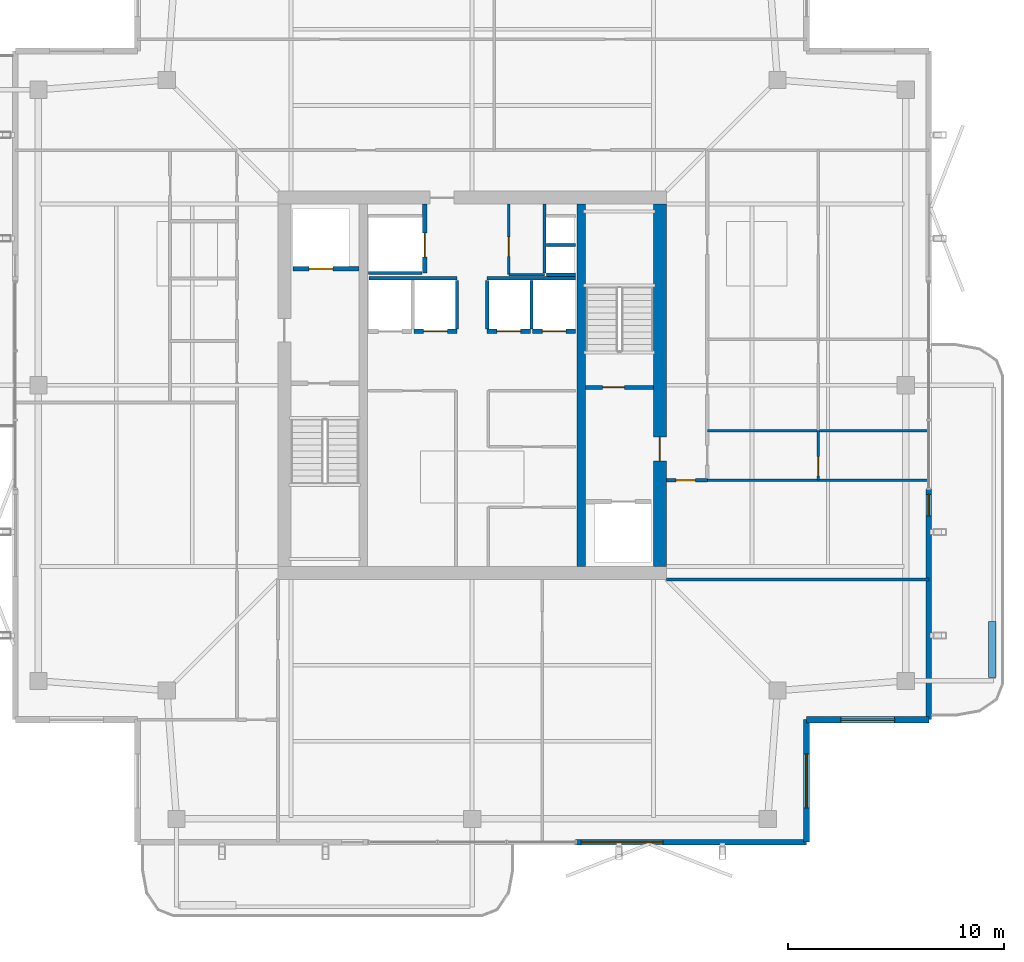
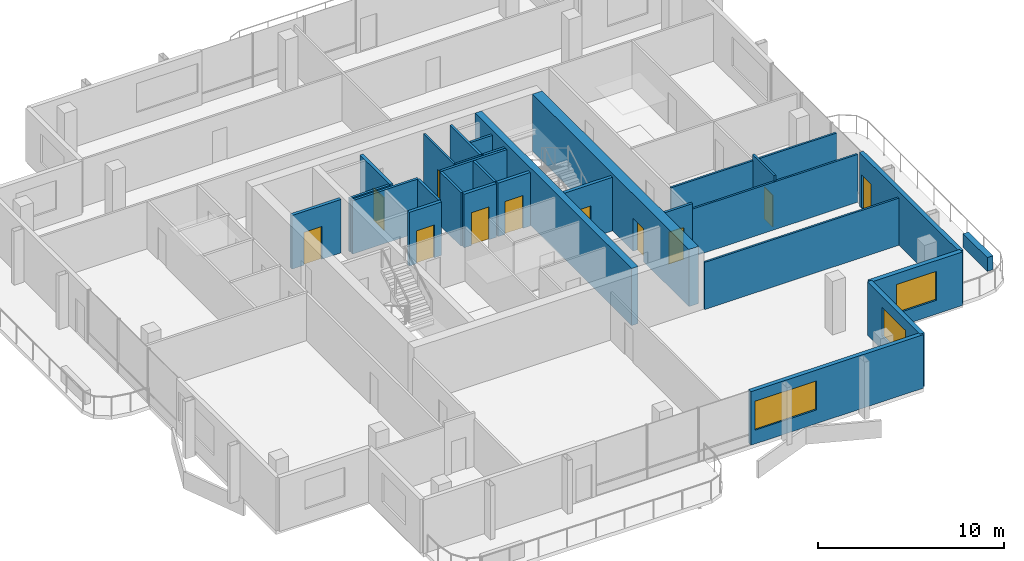
# One storey, part 17 of 22: 29 walls, 11 doors, 3 windows, 14 openings.
"""IFC4 building model written with IfcOpenShell, lengths in metres."""

import ifcopenshell
import ifcopenshell.guid

model = None  # the IFC model being written
_history = None  # IfcOwnerHistory: only IFC2X3 demands one
_inside = {}  # id of a spatial element -> (the spatial element, [elements in it])
_under = {}  # id of a project, library or spatial element -> (it, [spatial elements below it])
_declared = {}  # id of a project -> (the project, [libraries it declares])
_typed = {}  # id of a type object -> (the type object, [elements of that type])
_made_of = {}  # id of a material, layer set ... -> (it, [elements and type objects made of it])


def new_model(schema):
    """Start an empty IFC model of exactly this schema.

    Asked for "IFC4X3", IfcOpenShell would pick the latest addendum, in which some entities
    have other attributes; the version numbers below select the first issue.
    IFC2X3 requires an IfcOwnerHistory on every rooted entity: one is made here for all.
    """
    global model, _history
    if schema == "IFC4X3":
        model = ifcopenshell.file(schema_version=(4, 3, 0, 0))
    else:
        model = ifcopenshell.file(schema=schema)
    _inside.clear()
    _under.clear()
    _declared.clear()
    _typed.clear()
    _made_of.clear()
    _history = None
    if model.schema == "IFC2X3":
        org = make("IfcOrganization", Name="unknown")
        user = make(
            "IfcPersonAndOrganization",
            ThePerson=make("IfcPerson", FamilyName="unknown"),
            TheOrganization=org,
        )
        app = make(
            "IfcApplication",
            ApplicationDeveloper=org,
            Version="unknown",
            ApplicationFullName="unknown",
            ApplicationIdentifier="unknown",
        )
        _history = make(
            "IfcOwnerHistory",
            OwningUser=user,
            OwningApplication=app,
            ChangeAction="ADDED",
            CreationDate=0,
        )
    return model


def make(cls, **values):
    """One entity of the class cls with the attributes given. An attribute that is None is left unset."""
    return model.create_entity(
        cls, **{name: value for name, value in values.items() if value is not None}
    )


def rooted(cls, **values):
    """An entity with a GlobalId (a new one), such as an element, a storey or a relation."""
    return make(cls, GlobalId=ifcopenshell.guid.new(), OwnerHistory=_history, **values)


def si_unit(unit_type, name, prefix=None):
    """IfcSIUnit, for example si_unit("LENGTHUNIT", "METRE", prefix="MILLI")."""
    return make("IfcSIUnit", UnitType=unit_type, Prefix=prefix, Name=name)


def assignment(units):
    """IfcUnitAssignment: the units of a project."""
    return None if units is None else make("IfcUnitAssignment", Units=units)


def point(xyz):
    """IfcCartesianPoint."""
    return None if xyz is None else make("IfcCartesianPoint", Coordinates=xyz)


def direction(xyz):
    """IfcDirection."""
    return None if xyz is None else make("IfcDirection", DirectionRatios=xyz)


def frame(location, z_axis=None, x_axis=None):
    """IfcAxis2Placement3D, a coordinate frame: its origin and axes. An axis left out is left unset."""
    return make(
        "IfcAxis2Placement3D",
        Location=point(location),
        Axis=direction(z_axis),
        RefDirection=direction(x_axis),
    )


def frame_2d(location, x_axis=None):
    """IfcAxis2Placement2D, a coordinate frame in the plane: its origin and x axis."""
    return make(
        "IfcAxis2Placement2D", Location=point(location), RefDirection=direction(x_axis)
    )


def origin():
    """The frame at (0, 0, 0) with its axes left unset."""
    return frame((0.0, 0.0, 0.0))


def place(relative_to, where):
    """IfcLocalPlacement: puts the frame where relative to a parent placement (None: the world)."""
    return make(
        "IfcLocalPlacement", PlacementRelTo=relative_to, RelativePlacement=where
    )


def context(
    kind, dimensions, precision=None, world=None, true_north=None, identifier=None
):
    """IfcGeometricRepresentationContext, for example the 3D "Model" context."""
    return make(
        "IfcGeometricRepresentationContext",
        ContextIdentifier=identifier,
        ContextType=kind,
        CoordinateSpaceDimension=dimensions,
        Precision=precision,
        WorldCoordinateSystem=world,
        TrueNorth=true_north,
    )


def subcontext(parent, identifier, kind, view, scale=None):
    """IfcGeometricRepresentationSubContext, for example "Body" below "Model"."""
    return make(
        "IfcGeometricRepresentationSubContext",
        ContextIdentifier=identifier,
        ContextType=kind,
        ParentContext=parent,
        TargetScale=scale,
        TargetView=view,
    )


def project(units=None, contexts=None):
    """IfcProject with its units and contexts."""
    return rooted(
        "IfcProject",
        Name="project",
        RepresentationContexts=contexts,
        UnitsInContext=assignment(units),
    )


def spatial(cls, under=None, at=None, **own):
    """A site, building, storey or space (cls), placed at a placement, below another one or the project."""
    s = rooted(cls, ObjectPlacement=at, **own)
    if under is not None:
        _under.setdefault(under.id(), (under, []))[1].append(s)
    return s


def profile(cls, at=None, kind="AREA", **sizes):
    """A parametric profile (cls). Its sizes go by their IFC names, for example OverallWidth=200.0."""
    return make(cls, ProfileType=kind, Position=at, **sizes)


def rectangle(**sizes):
    """IfcRectangleProfileDef."""
    return profile("IfcRectangleProfileDef", **sizes)


def extrude(swept, where, along, depth):
    """IfcExtrudedAreaSolid: the profile swept, set in the frame where, extruded along a direction by depth."""
    return make(
        "IfcExtrudedAreaSolid",
        SweptArea=swept,
        Position=where,
        ExtrudedDirection=direction(along),
        Depth=depth,
    )


def shape(context_of_items, identifier, shape_type, items):
    """IfcShapeRepresentation: the items that make up one representation, for example the "Body"."""
    return make(
        "IfcShapeRepresentation",
        ContextOfItems=context_of_items,
        RepresentationIdentifier=identifier,
        RepresentationType=shape_type,
        Items=items,
    )


def material(Name=None, Category=None):
    """IfcMaterial."""
    return make("IfcMaterial", Name=Name, Category=Category)


def layer(
    of_material, thickness, ventilated=None, Name=None, Category=None, Priority=None
):
    """IfcMaterialLayer: one layer of a wall or slab, of a material (None: an air gap)."""
    return make(
        "IfcMaterialLayer",
        Material=of_material,
        LayerThickness=thickness,
        IsVentilated=ventilated,
        Name=Name,
        Category=Category,
        Priority=Priority,
    )


def layer_set(layers, Name=None):
    """IfcMaterialLayerSet."""
    return make("IfcMaterialLayerSet", MaterialLayers=layers, LayerSetName=Name)


def made_of(thing, what):
    """Note that an element or type object is made of a material, layer set ...; save() writes the relation."""
    if what is not None:
        _made_of.setdefault(what.id(), (what, []))[1].append(thing)
    return thing


def type_object(cls, material=None, **own):
    """A type object (cls), such as IfcWallType, which elements share."""
    return made_of(rooted(cls, **own), material)


def element(
    cls,
    number,
    at=None,
    inside=None,
    cuts=None,
    type_object=None,
    material=None,
    context=None,
    identifier="Body",
    shape_type=None,
    held_by="IfcProductDefinitionShape",
    body=None,
    shapes=None,
    **own,
):
    """One element of the class cls, such as IfcWall. Its Tag is "e" and its number.

    at: its placement. inside: the storey or other place that contains it. cuts: it is an
    opening in that element (IfcRelVoidsElement). A single representation is given by context,
    identifier, shape_type and body (its items); several are given by shapes. held_by: the class
    of the entity that holds the representations. save() writes the other relations.
    """
    e = rooted(cls, Tag="e%d" % number, ObjectPlacement=at, **own)
    if body is not None:
        shapes = [shape(context, identifier, shape_type, body)]
    if shapes is not None:
        e.Representation = make(held_by, Representations=shapes)
    if inside is not None:
        _inside.setdefault(inside.id(), (inside, []))[1].append(e)
    if cuts is not None:
        rooted(
            "IfcRelVoidsElement", RelatingBuildingElement=cuts, RelatedOpeningElement=e
        )
    if type_object is not None:
        _typed.setdefault(type_object.id(), (type_object, []))[1].append(e)
    return made_of(e, material)


def fill(opening, filler):
    """IfcRelFillsElement: the door or window that sits in an opening."""
    return rooted(
        "IfcRelFillsElement",
        RelatingOpeningElement=opening,
        RelatedBuildingElement=filler,
    )


def aggregate(whole, parts):
    """IfcRelAggregates: a whole, such as a stair, and the parts it consists of."""
    return rooted("IfcRelAggregates", RelatingObject=whole, RelatedObjects=parts)


def save(model, path):
    """Write the relations noted so far, then the file.

    IfcRelAggregates (storeys below a building ...), IfcRelContainedInSpatialStructure (elements
    in a storey), IfcRelDefinesByType, IfcRelAssociatesMaterial and IfcRelDeclares: one each for
    every whole, place, type object, material and project.
    """
    for whole, parts in _under.values():
        aggregate(whole, parts)
    for where, things in _inside.values():
        rooted(
            "IfcRelContainedInSpatialStructure",
            RelatedElements=things,
            RelatingStructure=where,
        )
    for kind, things in _typed.values():
        rooted("IfcRelDefinesByType", RelatedObjects=things, RelatingType=kind)
    for what, things in _made_of.values():
        rooted("IfcRelAssociatesMaterial", RelatedObjects=things, RelatingMaterial=what)
    for by, libraries in _declared.values():
        rooted("IfcRelDeclares", RelatingContext=by, RelatedDefinitions=libraries)
    model.write(path)


model = new_model("IFC4")

# Units and contexts
model_context = context("Model", 3, precision=1e-05, world=origin(), true_north=direction((0.0, 1.0)))
body_context = subcontext(model_context, "Body", "Model", "MODEL_VIEW")
ifc_project = project(units=[si_unit("LENGTHUNIT", "METRE"), si_unit("AREAUNIT", "SQUARE_METRE"), si_unit("VOLUMEUNIT", "CUBIC_METRE"), si_unit("PLANEANGLEUNIT", "RADIAN"), si_unit("MASSUNIT", "GRAM", prefix="KILO")], contexts=[model_context])

# Site, building, storey
site_placement = place(None, origin())
site = spatial("IfcSite", under=ifc_project, at=site_placement, CompositionType="ELEMENT")
building_placement = place(site_placement, origin())
building = spatial("IfcBuilding", under=site, at=building_placement, Name="Belovzor Exchange Tower", CompositionType="ELEMENT")
storey_placement = place(building_placement, frame((0.0, 0.0, 348.0)))
storey = spatial("IfcBuildingStorey", under=building, at=storey_placement, Name="L87", CompositionType="ELEMENT", Elevation=348.0)

# Walls
ifc_material_1 = material(Name="Acoustic Plasterboard on Galvanised Studs", Category="gypsum")
ifc_layer_1 = layer(ifc_material_1, 0.1201171875)
ifc_layer_set_1 = layer_set([ifc_layer_1], Name="Acoustic Plasterboard on Galvanised Studs")
wall_type_1 = type_object("IfcWallType", Name="Acoustic Double-Stud Partition Wall 120", PredefinedType="PARTITIONING", material=ifc_layer_set_1)
wall_1_placement = place(storey_placement, frame((37.800048828125, 19.800048828125, 0.0), z_axis=(0.0, 0.0, 1.0), x_axis=(1.0, 0.0, 0.0)))
element("IfcWall", 1, at=wall_1_placement, inside=storey, type_object=wall_type_1, Name="W-P120 Partition Wall W-L87-ESS", PredefinedType="PARTITIONING", context=body_context, shape_type="SweptSolid", body=[
    extrude(rectangle(XDim=12.169921875, YDim=0.1201171875, at=frame_2d((6.0849609375, 0.0))), origin(), (0.0, 0.0, 1.0), 3.094970703125),
])
wall_2_placement = place(storey_placement, frame((39.699951171875, 24.39990234375, 0.0), z_axis=(0.0, 0.0, 1.0), x_axis=(1.0, 0.0, 0.0)))
element("IfcWall", 2, at=wall_2_placement, inside=storey, type_object=wall_type_1, Name="W-P120 Partition Wall W-L87-ESN", PredefinedType="PARTITIONING", context=body_context, shape_type="SweptSolid", body=[
    extrude(rectangle(XDim=10.27001953125, YDim=0.1201171875, at=frame_2d((5.135009765625, 0.0))), origin(), (0.0, 0.0, 1.0), 3.135009765625),
])

# Wall, opening, door
wall_3_placement = place(storey_placement, frame((44.8349609375, 24.39990234375, 0.0), z_axis=(0.0, 0.0, 1.0), x_axis=(0.0, 1.0, 0.0)))
wall_3 = element("IfcWall", 3, at=wall_3_placement, inside=storey, type_object=wall_type_1, Name="W-P120 Partition Wall W-L87-EHDIV-0", PredefinedType="PARTITIONING", context=body_context, shape_type="SweptSolid", body=[
    extrude(rectangle(XDim=2.300048828125, YDim=0.1201171875, at=frame_2d((1.14990234375, 0.0))), origin(), (0.0, 0.0, 1.0), 3.510009765625),
])
opening_1_placement = place(wall_3_placement, frame((0.199951171875, 0.0, 0.0)))
opening_1 = element("IfcOpeningElement", 4, at=opening_1_placement, cuts=wall_3, Name="Opening D-INT-090", PredefinedType="OPENING", context=body_context, shape_type="SweptSolid", body=[
    extrude(rectangle(XDim=0.89990234375, YDim=2.10009765625, at=frame_2d((0.449951171875, 1.050048828125))), frame((0.0, 0.070068359375, 0.0), z_axis=(0.0, -1.0, 0.0), x_axis=(1.0, 0.0, 0.0)), (0.0, 0.0, 1.0), 0.14013671875),
])
ifc_material_2 = material(Name="Veneered Hardwood Acoustic Leaf", Category="wood")
door_type_1 = type_object("IfcDoorType", Name="Trading Suite Acoustic Single Door 900x2100", OperationType="NOTDEFINED", PredefinedType="DOOR", material=ifc_material_2)
door_1_placement = place(opening_1_placement, origin())
door_1 = element("IfcDoor", 5, at=door_1_placement, inside=storey, type_object=door_type_1, Name="D-INT-090 Trading Suite Acoustic Single Door 900x2100", OperationType="SINGLE_SWING_RIGHT", OverallHeight=2.10009765625, OverallWidth=0.89990234375, PredefinedType="DOOR", context=body_context, shape_type="SweptSolid", body=[
    extrude(rectangle(XDim=0.89990234375, YDim=2.10009765625, at=frame_2d((0.449951171875, 1.050048828125))), frame((0.0, 0.02490234375, 0.0), z_axis=(0.0, -1.0, 0.0), x_axis=(1.0, 0.0, 0.0)), (0.0, 0.0, 1.0), 0.050048828125),
])
fill(opening_1, door_1)

# Wall
wall_4_placement = place(storey_placement, frame((39.699951171875, 26.699951171875, 0.0), z_axis=(0.0, 0.0, 1.0), x_axis=(1.0, 0.0, 0.0)))
element("IfcWall", 6, at=wall_4_placement, inside=storey, type_object=wall_type_1, Name="W-P120 Partition Wall W-L87-EDIV-1", PredefinedType="PARTITIONING", context=body_context, shape_type="SweptSolid", body=[
    extrude(rectangle(XDim=10.27001953125, YDim=0.1201171875, at=frame_2d((5.135009765625, 0.0))), origin(), (0.0, 0.0, 1.0), 3.135009765625),
])

# Wall, opening, door
ifc_material_3 = material(Name="Fire-Rated Plasterboard on Galvanised Studs", Category="gypsum")
ifc_layer_2 = layer(ifc_material_3, 0.1201171875)
ifc_layer_set_2 = layer_set([ifc_layer_2], Name="Fire-Rated Plasterboard on Galvanised Studs")
wall_type_2 = type_object("IfcWallType", Name="Fire-Rated Double-Stud Partition Wall 120", PredefinedType="PARTITIONING", material=ifc_layer_set_2)
wall_5_placement = place(storey_placement, frame((30.5, 33.925048828125, 0.0), z_axis=(0.0, 0.0, 1.0), x_axis=(0.0, 1.0, 0.0)))
wall_5 = element("IfcWall", 7, at=wall_5_placement, inside=storey, type_object=wall_type_2, Name="W-P120F Partition Wall W-CRV-L87-W", PredefinedType="PARTITIONING", context=body_context, shape_type="SweptSolid", body=[
    extrude(rectangle(XDim=3.27490234375, YDim=0.1201171875, at=frame_2d((1.637451171875, 0.0))), origin(), (0.0, 0.0, 1.0), 3.510009765625),
])
opening_2_placement = place(wall_5_placement, frame((0.85009765625, 0.0, 0.0)))
opening_2 = element("IfcOpeningElement", 8, at=opening_2_placement, cuts=wall_5, Name="Opening D-FD60-090", PredefinedType="OPENING", context=body_context, shape_type="SweptSolid", body=[
    extrude(rectangle(XDim=0.89990234375, YDim=2.10009765625, at=frame_2d((0.449951171875, 1.050048828125))), frame((0.0, 0.070068359375, 0.0), z_axis=(0.0, -1.0, 0.0), x_axis=(1.0, 0.0, 0.0)), (0.0, 0.0, 1.0), 0.14013671875),
])
ifc_material_4 = material(Name="Acoustic Timber Fire Leaf", Category="wood")
door_type_2 = type_object("IfcDoorType", Name="Core Service & Restroom Fire Door 900x2100", OperationType="NOTDEFINED", PredefinedType="DOOR", material=ifc_material_4)
door_2_placement = place(opening_2_placement, origin())
door_2 = element("IfcDoor", 9, at=door_2_placement, inside=storey, type_object=door_type_2, Name="D-FD60-090 Core Service & Restroom Fire Door 900x2100", OperationType="SINGLE_SWING_LEFT", OverallHeight=2.10009765625, OverallWidth=0.89990234375, PredefinedType="DOOR", context=body_context, shape_type="SweptSolid", body=[
    extrude(rectangle(XDim=0.89990234375, YDim=2.10009765625, at=frame_2d((0.449951171875, 1.050048828125))), frame((0.0, 0.02490234375, 0.0), z_axis=(0.0, -1.0, 0.0), x_axis=(1.0, 0.0, 0.0)), (0.0, 0.0, 1.0), 0.050048828125),
])
fill(opening_2, door_2)

# Wall
wall_6_placement = place(storey_placement, frame((30.5, 33.925048828125, 0.0), z_axis=(0.0, 0.0, 1.0), x_axis=(1.0, 0.0, 0.0)))
element("IfcWall", 10, at=wall_6_placement, inside=storey, type_object=wall_type_2, Name="W-P120F Partition Wall W-CRV-L87-S", PredefinedType="PARTITIONING", context=body_context, shape_type="SweptSolid", body=[
    extrude(rectangle(XDim=1.64990234375, YDim=0.1201171875, at=frame_2d((0.824951171875, 0.0))), origin(), (0.0, 0.0, 1.0), 3.510009765625),
])

# Wall, opening, door
ifc_material_5 = material(Name="Fire-Rated Gypsum Block and Mineral Wool", Category="gypsum")
ifc_layer_3 = layer(ifc_material_5, 0.14990234375)
ifc_layer_set_3 = layer_set([ifc_layer_3], Name="Fire-Rated Gypsum Block and Mineral Wool")
wall_type_3 = type_object("IfcWallType", Name="Fire-Rated Gypsum Block Corridor Wall 150", PredefinedType="PARTITIONING", material=ifc_layer_set_3)
wall_7_placement = place(storey_placement, frame((37.800048828125, 24.39990234375, 0.0), z_axis=(0.0, 0.0, 1.0), x_axis=(1.0, 0.0, 0.0)))
wall_7 = element("IfcWall", 11, at=wall_7_placement, inside=storey, type_object=wall_type_3, Name="W-P150 Partition Wall W-L87-CE-END", PredefinedType="PARTITIONING", context=body_context, shape_type="SweptSolid", body=[
    extrude(rectangle(XDim=1.89990234375, YDim=0.14990234375, at=frame_2d((0.949951171875, 0.0))), origin(), (0.0, 0.0, 1.0), 3.510009765625),
])
opening_3_placement = place(wall_7_placement, frame((0.449951171875, 0.0, 0.0)))
opening_3 = element("IfcOpeningElement", 12, at=opening_3_placement, cuts=wall_7, Name="Opening D-FD60-090", PredefinedType="OPENING", context=body_context, shape_type="SweptSolid", body=[
    extrude(rectangle(XDim=0.89990234375, YDim=2.10009765625, at=frame_2d((0.449951171875, 1.050048828125))), frame((0.0, 0.0849609375, 0.0), z_axis=(0.0, -1.0, 0.0), x_axis=(1.0, 0.0, 0.0)), (0.0, 0.0, 1.0), 0.169921875),
])
door_3_placement = place(opening_3_placement, origin())
door_3 = element("IfcDoor", 13, at=door_3_placement, inside=storey, type_object=door_type_2, Name="D-FD60-090 Core Service & Restroom Fire Door 900x2100", OperationType="SINGLE_SWING_LEFT", OverallHeight=2.10009765625, OverallWidth=0.89990234375, PredefinedType="DOOR", context=body_context, shape_type="SweptSolid", body=[
    extrude(rectangle(XDim=0.89990234375, YDim=2.10009765625, at=frame_2d((0.449951171875, 1.050048828125))), frame((0.0, 0.02490234375, 0.0), z_axis=(0.0, -1.0, 0.0), x_axis=(1.0, 0.0, 0.0)), (0.0, 0.0, 1.0), 0.050048828125),
])
fill(opening_3, door_3)

# Wall, opening, window
ifc_material_6 = material(Name="Precast concrete C40/50", Category="concrete")
ifc_layer_4 = layer(ifc_material_6, 0.280029296875)
ifc_layer_set_4 = layer_set([ifc_layer_4], Name="Precast concrete C40/50")
wall_type_4 = type_object("IfcWallType", Name="Precast Concrete Notched Corner Frame Wall 280", PredefinedType="SOLIDWALL", material=ifc_layer_set_4)
wall_8_placement = place(storey_placement, frame((49.969970703125, 13.300048828125, 0.0), z_axis=(0.0, 0.0, 1.0), x_axis=(-1.0, 0.0, 0.0)))
wall_8 = element("IfcWall", 14, at=wall_8_placement, inside=storey, type_object=wall_type_4, Name="W-CRN280 Precast Concrete Notched Corner Frame Wall 280 L87", PredefinedType="SOLIDWALL", context=body_context, shape_type="SweptSolid", body=[
    extrude(rectangle(XDim=5.669921875, YDim=0.280029296875, at=frame_2d((2.8349609375, 0.0))), origin(), (0.0, 0.0, 1.0), 3.510009765625),
])
opening_4_placement = place(wall_8_placement, frame((1.5849609375, 0.0, 0.89990234375)))
opening_4 = element("IfcOpeningElement", 15, at=opening_4_placement, cuts=wall_8, Name="Opening WN-CRN250", PredefinedType="OPENING", context=body_context, shape_type="SweptSolid", body=[
    extrude(rectangle(XDim=2.5, YDim=1.89990234375, at=frame_2d((1.25, 0.949951171875))), frame((0.0, 0.14990234375, 0.0), z_axis=(0.0, -1.0, 0.0), x_axis=(1.0, 0.0, 0.0)), (0.0, 0.0, 1.0), 0.300048828125),
])
ifc_material_7 = material(Name="Thermally Broken Aluminium and Triple Glazing", Category="aluminium")
window_type_1 = type_object("IfcWindowType", Name="Streamline Moderne Corner Wrap Ribbon Window 2500x1900", PartitioningType="SINGLE_PANEL", PredefinedType="WINDOW", material=ifc_material_7)
window_1_placement = place(opening_4_placement, origin())
window_1 = element("IfcWindow", 16, at=window_1_placement, inside=storey, type_object=window_type_1, Name="WN-CRN250 Streamline Moderne Corner Wrap Ribbon Window 2500x1900", OverallHeight=1.89990234375, OverallWidth=2.5, PartitioningType="SINGLE_PANEL", PredefinedType="WINDOW", context=body_context, shape_type="SweptSolid", body=[
    extrude(rectangle(XDim=2.5, YDim=1.89990234375, at=frame_2d((1.25, 0.949951171875))), frame((0.0, 0.030029296875, 0.0), z_axis=(0.0, -1.0, 0.0), x_axis=(1.0, 0.0, 0.0)), (0.0, 0.0, 1.0), 0.06005859375),
])
fill(opening_4, window_1)

wall_9_placement = place(storey_placement, frame((44.300048828125, 13.300048828125, 0.0), z_axis=(0.0, 0.0, 1.0), x_axis=(0.0, -1.0, 0.0)))
wall_9 = element("IfcWall", 17, at=wall_9_placement, inside=storey, type_object=wall_type_4, Name="W-CRN280 Precast Concrete Notched Corner Frame Wall 280 L87", PredefinedType="SOLIDWALL", context=body_context, shape_type="SweptSolid", body=[
    extrude(rectangle(XDim=5.670166015625, YDim=0.280029296875, at=frame_2d((2.8349609375, 0.0))), origin(), (0.0, 0.0, 1.0), 3.510009765625),
])
opening_5_placement = place(wall_9_placement, frame((1.5849609375, 0.0, 0.89990234375)))
opening_5 = element("IfcOpeningElement", 18, at=opening_5_placement, cuts=wall_9, Name="Opening WN-CRN250", PredefinedType="OPENING", context=body_context, shape_type="SweptSolid", body=[
    extrude(rectangle(XDim=2.5, YDim=1.89990234375, at=frame_2d((1.25, 0.949951171875))), frame((0.0, 0.14990234375, 0.0), z_axis=(0.0, -1.0, 0.0), x_axis=(1.0, 0.0, 0.0)), (0.0, 0.0, 1.0), 0.300048828125),
])
window_2_placement = place(opening_5_placement, origin())
window_2 = element("IfcWindow", 19, at=window_2_placement, inside=storey, type_object=window_type_1, Name="WN-CRN250 Streamline Moderne Corner Wrap Ribbon Window 2500x1900", OverallHeight=1.89990234375, OverallWidth=2.5, PartitioningType="SINGLE_PANEL", PredefinedType="WINDOW", context=body_context, shape_type="SweptSolid", body=[
    extrude(rectangle(XDim=2.5, YDim=1.89990234375, at=frame_2d((1.25, 0.949951171875))), frame((0.0, 0.030029296875, 0.0), z_axis=(0.0, -1.0, 0.0), x_axis=(1.0, 0.0, 0.0)), (0.0, 0.0, 1.0), 0.06005859375),
])
fill(opening_5, window_2)

ifc_material_8 = material(Name="Precast concrete C40/50", Category="concrete")
ifc_layer_5 = layer(ifc_material_8, 0.260009765625)
ifc_layer_set_5 = layer_set([ifc_layer_5], Name="Precast concrete C40/50")
wall_type_5 = type_object("IfcWallType", Name="Precast Concrete Perimeter Loggia Frame Wall 260", PredefinedType="SOLIDWALL", material=ifc_layer_set_5)
wall_10_placement = place(storey_placement, frame((44.300048828125, 7.6298828125, 0.0), z_axis=(0.0, 0.0, 1.0), x_axis=(-1.0, 0.0, 0.0)))
wall_10 = element("IfcWall", 20, at=wall_10_placement, inside=storey, type_object=wall_type_5, Name="W-EXT260 Precast Concrete Perimeter Loggia Frame Wall 260 L87", PredefinedType="SOLIDWALL", context=body_context, shape_type="SweptSolid", body=[
    extrude(rectangle(XDim=10.699951171875, YDim=0.260009765625, at=frame_2d((5.35009765625, 0.0))), origin(), (0.0, 0.0, 1.0), 3.510009765625),
])
opening_6_placement = place(wall_10_placement, frame((6.64990234375, 0.0, 0.89990234375)))
opening_6 = element("IfcOpeningElement", 21, at=opening_6_placement, cuts=wall_10, Name="Opening WN-RIB380", PredefinedType="OPENING", context=body_context, shape_type="SweptSolid", body=[
    extrude(rectangle(XDim=3.800048828125, YDim=1.89990234375, at=frame_2d((1.89990234375, 0.949951171875))), frame((0.0, 0.139892578125, 0.0), z_axis=(0.0, -1.0, 0.0), x_axis=(1.0, 0.0, 0.0)), (0.0, 0.0, 1.0), 0.280029296875),
])
ifc_material_9 = material(Name="Thermally Broken Aluminium and Triple Glazing", Category="aluminium")
window_type_2 = type_object("IfcWindowType", Name="Streamline Moderne Horizontal Ribbon Window 3800x1900", PartitioningType="SINGLE_PANEL", PredefinedType="WINDOW", material=ifc_material_9)
window_3_placement = place(opening_6_placement, origin())
window_3 = element("IfcWindow", 22, at=window_3_placement, inside=storey, type_object=window_type_2, Name="WN-RIB380 Streamline Moderne Horizontal Ribbon Window 3800x1900", OverallHeight=1.89990234375, OverallWidth=3.800048828125, PartitioningType="SINGLE_PANEL", PredefinedType="WINDOW", context=body_context, shape_type="SweptSolid", body=[
    extrude(rectangle(XDim=3.800048828125, YDim=1.89990234375, at=frame_2d((1.89990234375, 0.949951171875))), frame((0.0, 0.030029296875, 0.0), z_axis=(0.0, -1.0, 0.0), x_axis=(1.0, 0.0, 0.0)), (0.0, 0.0, 1.0), 0.06005859375),
])
fill(opening_6, window_3)

# Wall, opening, door
wall_11_placement = place(storey_placement, frame((49.969970703125, 24.0, 0.0), z_axis=(0.0, 0.0, 1.0), x_axis=(0.0, -1.0, 0.0)))
wall_11 = element("IfcWall", 23, at=wall_11_placement, inside=storey, type_object=wall_type_5, Name="W-EXT260 Precast Concrete Perimeter Loggia Frame Wall 260 L87", PredefinedType="SOLIDWALL", context=body_context, shape_type="SweptSolid", body=[
    extrude(rectangle(XDim=10.699951171875, YDim=0.260009765625, at=frame_2d((5.35009765625, 0.0))), origin(), (0.0, 0.0, 1.0), 3.510009765625),
])
opening_7_placement = place(wall_11_placement, frame((0.25, 0.0, 0.0)))
opening_7 = element("IfcOpeningElement", 24, at=opening_7_placement, cuts=wall_11, Name="Opening D-BAL100", PredefinedType="OPENING", context=body_context, shape_type="SweptSolid", body=[
    extrude(rectangle(XDim=1.0, YDim=2.199951171875, at=frame_2d((0.5, 1.10009765625))), frame((0.0, 0.139892578125, 0.0), z_axis=(0.0, -1.0, 0.0), x_axis=(1.0, 0.0, 0.0)), (0.0, 0.0, 1.0), 0.280029296875),
])
ifc_material_10 = material(Name="Thermally Broken Anodised Aluminium and Laminated Glass", Category="aluminium")
door_type_3 = type_object("IfcDoorType", Name="Planted Loggia Terrace Glazed Door 1000x2200", OperationType="SINGLE_SWING_LEFT", PredefinedType="DOOR", material=ifc_material_10)
door_4_placement = place(opening_7_placement, origin())
door_4 = element("IfcDoor", 25, at=door_4_placement, inside=storey, type_object=door_type_3, Name="D-BAL100 Balcony Terrace Door L87 E", OperationType="SINGLE_SWING_LEFT", OverallHeight=2.199951171875, OverallWidth=1.0, PredefinedType="DOOR", context=body_context, shape_type="SweptSolid", body=[
    extrude(rectangle(XDim=1.0, YDim=2.199951171875, at=frame_2d((0.5, 1.10009765625))), frame((0.0, 0.02490234375, 0.0), z_axis=(0.0, -1.0, 0.0), x_axis=(1.0, 0.0, 0.0)), (0.0, 0.0, 1.0), 0.050048828125),
])
fill(opening_7, door_4)

# Walls
ifc_material_11 = material(Name="Precast concrete C40/50", Category="concrete")
ifc_layer_6 = layer(ifc_material_11, 0.35009765625)
ifc_layer_set_6 = layer_set([ifc_layer_6], Name="Precast concrete C40/50")
wall_type_6 = type_object("IfcWallType", Name="Precast Concrete Structural Tree Planter Trough 350", PredefinedType="PARAPET", material=ifc_layer_set_6)
wall_12_placement = place(storey_placement, frame((52.89990234375, 15.25, 0.0), z_axis=(0.0, 0.0, 1.0), x_axis=(0.0, 1.0, 0.0)))
element("IfcWall", 26, at=wall_12_placement, inside=storey, type_object=wall_type_6, Name="PT-350 Precast Concrete Structural Tree Planter Trough 350 L87", PredefinedType="PARAPET", context=body_context, shape_type="SweptSolid", body=[
    extrude(rectangle(XDim=2.60009765625, YDim=0.35009765625, at=frame_2d((1.300048828125, 0.0))), origin(), (0.0, 0.0, 1.0), 0.89990234375),
])
ifc_material_12 = material(Name="Concrete C50/60", Category="concrete")
ifc_layer_7 = layer(ifc_material_12, 0.39990234375)
ifc_layer_set_7 = layer_set([ifc_layer_7], Name="Concrete C50/60")
wall_type_7 = type_object("IfcWallType", Name="Reinforced Concrete Core Internal Web Wall 400", PredefinedType="SHEAR", material=ifc_layer_set_7)
wall_13_placement = place(storey_placement, frame((33.85009765625, 20.39990234375, 0.0), z_axis=(0.0, 0.0, 1.0), x_axis=(0.0, 1.0, 0.0)))
element("IfcWall", 27, at=wall_13_placement, inside=storey, type_object=wall_type_7, Name="CW-W040 Core Internal Web Wall L87 ER", PredefinedType="SHEAR", context=body_context, shape_type="SweptSolid", body=[
    extrude(rectangle(XDim=16.800048828125, YDim=0.39990234375, at=frame_2d((8.39990234375, 0.0))), origin(), (0.0, 0.0, 1.0), 3.75),
])
ifc_material_13 = material(Name="Concrete C50/60", Category="concrete")
ifc_layer_8 = layer(ifc_material_13, 0.14990234375)
ifc_layer_set_8 = layer_set([ifc_layer_8], Name="Concrete C50/60")
wall_type_8 = type_object("IfcWallType", Name="Reinforced Concrete Core Riser Shear Wall 150", PredefinedType="SHEAR", material=ifc_layer_set_8)
wall_14_placement = place(storey_placement, frame((32.14990234375, 34.0, 0.0), z_axis=(0.0, 0.0, 1.0), x_axis=(0.0, 1.0, 0.0)))
element("IfcWall", 28, at=wall_14_placement, inside=storey, type_object=wall_type_8, Name="W-C150S Core Shaft Wall W-RSR-L87-E", PredefinedType="SHEAR", context=body_context, shape_type="SweptSolid", body=[
    extrude(rectangle(XDim=3.199951171875, YDim=0.14990234375, at=frame_2d((1.60009765625, 0.0))), origin(), (0.0, 0.0, 1.0), 3.510009765625),
])
for number, where, z_axis, x_axis, name in (
    (29, (32.25, 33.925048828125, 0.0), (0.0, 0.0, 1.0), (1.0, 0.0, 0.0), "W-C150S Core Shaft Wall W-RSR-L87-S"),
    (30, (32.25, 35.300048828125, 0.0), (0.0, 0.0, 1.0), (1.0, 0.0, 0.0), "W-C150S Core Shaft Wall W-RSR-L87-M"),
):
    element("IfcWall", number, at=place(storey_placement, frame(where, z_axis=z_axis, x_axis=x_axis)), inside=storey, type_object=wall_type_8, Name=name, PredefinedType="SHEAR", context=body_context, shape_type="SweptSolid", body=[
        extrude(rectangle(XDim=1.330078125, YDim=0.14990234375, at=frame_2d((0.6650390625, 0.0))), origin(), (0.0, 0.0, 1.0), 3.510009765625),
    ])
wall_15_placement = place(storey_placement, frame((24.0, 34.0, 0.0), z_axis=(0.0, 0.0, 1.0), x_axis=(1.0, 0.0, 0.0)))
element("IfcWall", 31, at=wall_15_placement, inside=storey, type_object=wall_type_8, Name="W-C150S Core Shaft Wall W-SH-L87-SL-01S", PredefinedType="SHEAR", context=body_context, shape_type="SweptSolid", body=[
    extrude(rectangle(XDim=2.47998046875, YDim=0.14990234375, at=frame_2d((1.239990234375, 0.0))), origin(), (0.0, 0.0, 1.0), 3.510009765625),
])
for number, where, z_axis, x_axis, name in (
    (32, (24.02001953125, 33.760009765625, 0.0), (0.0, 0.0, 1.0), (1.0, 0.0, 0.0), "W-C150S Core Shaft Wall W-SHB-L87-PLH-NW"),
    (33, (29.5, 33.760009765625, 0.0), (0.0, 0.0, 1.0), (1.0, 0.0, 0.0), "W-C150S Core Shaft Wall W-SHB-L87-PLH-NE"),
):
    element("IfcWall", number, at=place(storey_placement, frame(where, z_axis=z_axis, x_axis=x_axis)), inside=storey, type_object=wall_type_8, Name=name, PredefinedType="SHEAR", context=body_context, shape_type="SweptSolid", body=[
        extrude(rectangle(XDim=4.080078125, YDim=0.14990234375, at=frame_2d((2.0400390625, 0.0))), origin(), (0.0, 0.0, 1.0), 3.510009765625),
    ])
for number, where, z_axis, x_axis, name in (
    (34, (28.10009765625, 31.419921875, 0.0), (0.0, 0.0, 1.0), (0.0, 1.0, 0.0), "W-C150S Core Shaft Wall W-SHD-L87-PLH-2"),
    (35, (29.5, 31.419921875, 0.0), (0.0, 0.0, 1.0), (0.0, 1.0, 0.0), "W-C150S Core Shaft Wall W-SHD-L87-PLH-3"),
    (36, (31.550048828125, 31.419921875, 0.0), (0.0, 0.0, 1.0), (0.0, 1.0, 0.0), "W-C150S Core Shaft Wall W-SHD-L87-PLH-4"),
):
    element("IfcWall", number, at=place(storey_placement, frame(where, z_axis=z_axis, x_axis=x_axis)), inside=storey, type_object=wall_type_8, Name=name, PredefinedType="SHEAR", context=body_context, shape_type="SweptSolid", body=[
        extrude(rectangle(XDim=2.239990234375, YDim=0.14990234375, at=frame_2d((1.1201171875, 0.0))), origin(), (0.0, 0.0, 1.0), 3.510009765625),
    ])

# Wall, opening, door
ifc_material_14 = material(Name="Concrete C50/60", Category="concrete")
ifc_layer_9 = layer(ifc_material_14, 0.199951171875)
ifc_layer_set_9 = layer_set([ifc_layer_9], Name="Concrete C50/60")
wall_type_9 = type_object("IfcWallType", Name="Reinforced Concrete Core Shaft Shear Wall 200", PredefinedType="SHEAR", material=ifc_layer_set_9)
wall_16_placement = place(storey_placement, frame((34.050048828125, 28.699951171875, 0.0), z_axis=(0.0, 0.0, 1.0), x_axis=(1.0, 0.0, 0.0)))
wall_16 = element("IfcWall", 37, at=wall_16_placement, inside=storey, type_object=wall_type_9, Name="W-C200S Core Shaft Wall W-CORE-L87-FFLE2", PredefinedType="SHEAR", context=body_context, shape_type="SweptSolid", body=[
    extrude(rectangle(XDim=3.14990234375, YDim=0.199951171875, at=frame_2d((1.574951171875, 0.0))), origin(), (0.0, 0.0, 1.0), 3.510009765625),
])
opening_8_placement = place(wall_16_placement, frame((0.800048828125, 0.0, 0.0)))
opening_8 = element("IfcOpeningElement", 38, at=opening_8_placement, cuts=wall_16, Name="Opening D-FD90-100", PredefinedType="OPENING", context=body_context, shape_type="SweptSolid", body=[
    extrude(rectangle(XDim=1.0, YDim=2.10009765625, at=frame_2d((0.5, 1.050048828125))), frame((0.0, 0.10986328125, 0.0), z_axis=(0.0, -1.0, 0.0), x_axis=(1.0, 0.0, 0.0)), (0.0, 0.0, 1.0), 0.219970703125),
])
ifc_material_15 = material(Name="Fire-Rated Galvanised Steel Leaf", Category="steel")
door_type_4 = type_object("IfcDoorType", Name="Protected Stairwell Single Fire Door 1000x2100", OperationType="NOTDEFINED", PredefinedType="DOOR", material=ifc_material_15)
door_5_placement = place(opening_8_placement, origin())
door_5 = element("IfcDoor", 39, at=door_5_placement, inside=storey, type_object=door_type_4, Name="D-FD90-100 Protected Stairwell Single Fire Door 1000x2100", OperationType="SINGLE_SWING_LEFT", OverallHeight=2.10009765625, OverallWidth=1.0, PredefinedType="DOOR", context=body_context, shape_type="SweptSolid", body=[
    extrude(rectangle(XDim=1.0, YDim=2.10009765625, at=frame_2d((0.5, 1.050048828125))), frame((0.0, 0.02490234375, 0.0), z_axis=(0.0, -1.0, 0.0), x_axis=(1.0, 0.0, 0.0)), (0.0, 0.0, 1.0), 0.050048828125),
])
fill(opening_8, door_5)

wall_17_placement = place(storey_placement, frame((20.5, 34.199951171875, 0.0), z_axis=(0.0, 0.0, 1.0), x_axis=(1.0, 0.0, 0.0)))
wall_17 = element("IfcWall", 40, at=wall_17_placement, inside=storey, type_object=wall_type_9, Name="W-C200S Core Shaft Wall W-SH-L87-FFL-01", PredefinedType="SHEAR", context=body_context, shape_type="SweptSolid", body=[
    extrude(rectangle(XDim=3.050048828125, YDim=0.199951171875, at=frame_2d((1.52490234375, 0.0))), origin(), (0.0, 0.0, 1.0), 3.510009765625),
])
opening_9_placement = place(wall_17_placement, frame((0.75, 0.0, 0.0)))
opening_9 = element("IfcOpeningElement", 41, at=opening_9_placement, cuts=wall_17, Name="Opening LD-110", PredefinedType="OPENING", context=body_context, shape_type="SweptSolid", body=[
    extrude(rectangle(XDim=1.10009765625, YDim=2.14990234375, at=frame_2d((0.550048828125, 1.074951171875))), frame((0.0, 0.10986328125, 0.0), z_axis=(0.0, -1.0, 0.0), x_axis=(1.0, 0.0, 0.0)), (0.0, 0.0, 1.0), 0.219970703125),
])
ifc_material_16 = material(Name="Stainless Steel Grade 304", Category="steel")
door_type_5 = type_object("IfcDoorType", Name="Automated Stainless Steel Lift Landing Door 1100x2150", OperationType="SLIDING_TO_RIGHT", PredefinedType="DOOR", material=ifc_material_16)
door_6_placement = place(opening_9_placement, origin())
door_6 = element("IfcDoor", 42, at=door_6_placement, inside=storey, type_object=door_type_5, Name="LD-110 Automated Stainless Steel Lift Landing Door 1100x2150", OperationType="SLIDING_TO_RIGHT", OverallHeight=2.14990234375, OverallWidth=1.10009765625, PredefinedType="DOOR", context=body_context, shape_type="SweptSolid", body=[
    extrude(rectangle(XDim=1.10009765625, YDim=2.14990234375, at=frame_2d((0.550048828125, 1.074951171875))), frame((0.0, 0.02490234375, 0.0), z_axis=(0.0, -1.0, 0.0), x_axis=(1.0, 0.0, 0.0)), (0.0, 0.0, 1.0), 0.050048828125),
])
fill(opening_9, door_6)

wall_18_placement = place(storey_placement, frame((26.60009765625, 34.0, 0.0), z_axis=(0.0, 0.0, 1.0), x_axis=(0.0, 1.0, 0.0)))
wall_18 = element("IfcWall", 43, at=wall_18_placement, inside=storey, type_object=wall_type_9, Name="W-C200S Core Shaft Wall W-SH-L87-SL-01", PredefinedType="SHEAR", context=body_context, shape_type="SweptSolid", body=[
    extrude(rectangle(XDim=3.199951171875, YDim=0.199951171875, at=frame_2d((1.60009765625, 0.0))), origin(), (0.0, 0.0, 1.0), 3.510009765625),
])
opening_10_placement = place(wall_18_placement, frame((0.75, 0.0, 0.0)))
opening_10 = element("IfcOpeningElement", 44, at=opening_10_placement, cuts=wall_18, Name="Opening LD-110", PredefinedType="OPENING", context=body_context, shape_type="SweptSolid", body=[
    extrude(rectangle(XDim=1.10009765625, YDim=2.14990234375, at=frame_2d((0.550048828125, 1.074951171875))), frame((0.0, 0.10986328125, 0.0), z_axis=(0.0, -1.0, 0.0), x_axis=(1.0, 0.0, 0.0)), (0.0, 0.0, 1.0), 0.219970703125),
])
door_7_placement = place(opening_10_placement, origin())
door_7 = element("IfcDoor", 45, at=door_7_placement, inside=storey, type_object=door_type_5, Name="LD-110 Automated Stainless Steel Lift Landing Door 1100x2150", OperationType="SLIDING_TO_RIGHT", OverallHeight=2.14990234375, OverallWidth=1.10009765625, PredefinedType="DOOR", context=body_context, shape_type="SweptSolid", body=[
    extrude(rectangle(XDim=1.10009765625, YDim=2.14990234375, at=frame_2d((0.550048828125, 1.074951171875))), frame((0.0, 0.02490234375, 0.0), z_axis=(0.0, -1.0, 0.0), x_axis=(1.0, 0.0, 0.0)), (0.0, 0.0, 1.0), 0.050048828125),
])
fill(opening_10, door_7)

wall_19_placement = place(storey_placement, frame((26.10009765625, 31.300048828125, 0.0), z_axis=(0.0, 0.0, 1.0), x_axis=(1.0, 0.0, 0.0)))
wall_19 = element("IfcWall", 46, at=wall_19_placement, inside=storey, type_object=wall_type_9, Name="W-C200S Core Shaft Wall W-SH-L87-PL-H2", PredefinedType="SHEAR", context=body_context, shape_type="SweptSolid", body=[
    extrude(rectangle(XDim=2.0, YDim=0.199951171875, at=frame_2d((1.0, 0.0))), origin(), (0.0, 0.0, 1.0), 3.510009765625),
])
opening_11_placement = place(wall_19_placement, frame((0.449951171875, 0.0, 0.0)))
opening_11 = element("IfcOpeningElement", 47, at=opening_11_placement, cuts=wall_19, Name="Opening LD-110", PredefinedType="OPENING", context=body_context, shape_type="SweptSolid", body=[
    extrude(rectangle(XDim=1.10009765625, YDim=2.14990234375, at=frame_2d((0.550048828125, 1.074951171875))), frame((0.0, 0.10986328125, 0.0), z_axis=(0.0, -1.0, 0.0), x_axis=(1.0, 0.0, 0.0)), (0.0, 0.0, 1.0), 0.219970703125),
])
door_8_placement = place(opening_11_placement, origin())
door_8 = element("IfcDoor", 48, at=door_8_placement, inside=storey, type_object=door_type_5, Name="LD-110 Automated Stainless Steel Lift Landing Door 1100x2150", OperationType="SLIDING_TO_RIGHT", OverallHeight=2.14990234375, OverallWidth=1.10009765625, PredefinedType="DOOR", context=body_context, shape_type="SweptSolid", body=[
    extrude(rectangle(XDim=1.10009765625, YDim=2.14990234375, at=frame_2d((0.550048828125, 1.074951171875))), frame((0.0, 0.02490234375, 0.0), z_axis=(0.0, -1.0, 0.0), x_axis=(1.0, 0.0, 0.0)), (0.0, 0.0, 1.0), 0.050048828125),
])
fill(opening_11, door_8)

wall_20_placement = place(storey_placement, frame((29.5, 31.300048828125, 0.0), z_axis=(0.0, 0.0, 1.0), x_axis=(1.0, 0.0, 0.0)))
wall_20 = element("IfcWall", 49, at=wall_20_placement, inside=storey, type_object=wall_type_9, Name="W-C200S Core Shaft Wall W-SH-L87-PL-H3", PredefinedType="SHEAR", context=body_context, shape_type="SweptSolid", body=[
    extrude(rectangle(XDim=2.0, YDim=0.199951171875, at=frame_2d((1.0, 0.0))), origin(), (0.0, 0.0, 1.0), 3.510009765625),
])
opening_12_placement = place(wall_20_placement, frame((0.449951171875, 0.0, 0.0)))
opening_12 = element("IfcOpeningElement", 50, at=opening_12_placement, cuts=wall_20, Name="Opening LD-110", PredefinedType="OPENING", context=body_context, shape_type="SweptSolid", body=[
    extrude(rectangle(XDim=1.10009765625, YDim=2.14990234375, at=frame_2d((0.550048828125, 1.074951171875))), frame((0.0, 0.10986328125, 0.0), z_axis=(0.0, -1.0, 0.0), x_axis=(1.0, 0.0, 0.0)), (0.0, 0.0, 1.0), 0.219970703125),
])
door_9_placement = place(opening_12_placement, origin())
door_9 = element("IfcDoor", 51, at=door_9_placement, inside=storey, type_object=door_type_5, Name="LD-110 Automated Stainless Steel Lift Landing Door 1100x2150", OperationType="SLIDING_TO_RIGHT", OverallHeight=2.14990234375, OverallWidth=1.10009765625, PredefinedType="DOOR", context=body_context, shape_type="SweptSolid", body=[
    extrude(rectangle(XDim=1.10009765625, YDim=2.14990234375, at=frame_2d((0.550048828125, 1.074951171875))), frame((0.0, 0.02490234375, 0.0), z_axis=(0.0, -1.0, 0.0), x_axis=(1.0, 0.0, 0.0)), (0.0, 0.0, 1.0), 0.050048828125),
])
fill(opening_12, door_9)

wall_21_placement = place(storey_placement, frame((31.60009765625, 31.300048828125, 0.0), z_axis=(0.0, 0.0, 1.0), x_axis=(1.0, 0.0, 0.0)))
wall_21 = element("IfcWall", 52, at=wall_21_placement, inside=storey, type_object=wall_type_9, Name="W-C200S Core Shaft Wall W-SH-L87-PL-H4", PredefinedType="SHEAR", context=body_context, shape_type="SweptSolid", body=[
    extrude(rectangle(XDim=2.0, YDim=0.199951171875, at=frame_2d((1.0, 0.0))), origin(), (0.0, 0.0, 1.0), 3.510009765625),
])
opening_13_placement = place(wall_21_placement, frame((0.449951171875, 0.0, 0.0)))
opening_13 = element("IfcOpeningElement", 53, at=opening_13_placement, cuts=wall_21, Name="Opening LD-110", PredefinedType="OPENING", context=body_context, shape_type="SweptSolid", body=[
    extrude(rectangle(XDim=1.10009765625, YDim=2.14990234375, at=frame_2d((0.550048828125, 1.074951171875))), frame((0.0, 0.10986328125, 0.0), z_axis=(0.0, -1.0, 0.0), x_axis=(1.0, 0.0, 0.0)), (0.0, 0.0, 1.0), 0.219970703125),
])
door_10_placement = place(opening_13_placement, origin())
door_10 = element("IfcDoor", 54, at=door_10_placement, inside=storey, type_object=door_type_5, Name="LD-110 Automated Stainless Steel Lift Landing Door 1100x2150", OperationType="SLIDING_TO_RIGHT", OverallHeight=2.14990234375, OverallWidth=1.10009765625, PredefinedType="DOOR", context=body_context, shape_type="SweptSolid", body=[
    extrude(rectangle(XDim=1.10009765625, YDim=2.14990234375, at=frame_2d((0.550048828125, 1.074951171875))), frame((0.0, 0.02490234375, 0.0), z_axis=(0.0, -1.0, 0.0), x_axis=(1.0, 0.0, 0.0)), (0.0, 0.0, 1.0), 0.050048828125),
])
fill(opening_13, door_10)

ifc_material_17 = material(Name="Concrete C50/60", Category="concrete")
ifc_layer_10 = layer(ifc_material_17, 0.60009765625)
ifc_layer_set_10 = layer_set([ifc_layer_10], Name="Concrete C50/60")
wall_type_10 = type_object("IfcWallType", Name="Reinforced Concrete Core Shear Wall 600", PredefinedType="SHEAR", material=ifc_layer_set_10)
wall_22_placement = place(storey_placement, frame((37.5, 20.39990234375, 0.0), z_axis=(0.0, 0.0, 1.0), x_axis=(0.0, 1.0, 0.0)))
wall_22 = element("IfcWall", 55, at=wall_22_placement, inside=storey, type_object=wall_type_10, Name="CW-S060 Core Shear Wall L87 E", PredefinedType="SHEAR", context=body_context, shape_type="SweptSolid", body=[
    extrude(rectangle(XDim=16.800048828125, YDim=0.60009765625, at=frame_2d((8.39990234375, 0.0))), origin(), (0.0, 0.0, 1.0), 3.75),
])
opening_14_placement = place(wall_22_placement, frame((4.89990234375, 0.0, 0.0)))
opening_14 = element("IfcOpeningElement", 56, at=opening_14_placement, cuts=wall_22, Name="Opening D-FD90-110", PredefinedType="OPENING", context=body_context, shape_type="SweptSolid", body=[
    extrude(rectangle(XDim=1.10009765625, YDim=2.14990234375, at=frame_2d((0.550048828125, 1.074951171875))), frame((0.0, 0.31005859375, 0.0), z_axis=(0.0, -1.0, 0.0), x_axis=(1.0, 0.0, 0.0)), (0.0, 0.0, 1.0), 0.6201171875),
])
ifc_material_18 = material(Name="Fire-Rated Galvanised Steel Leaf", Category="steel")
door_type_6 = type_object("IfcDoorType", Name="Protected Escape Vestibule Fire Door 1100x2150", OperationType="NOTDEFINED", PredefinedType="DOOR", material=ifc_material_18)
door_11_placement = place(opening_14_placement, origin())
door_11 = element("IfcDoor", 57, at=door_11_placement, inside=storey, type_object=door_type_6, Name="D-FD90-110 Protected Escape Vestibule Fire Door 1100x2150", OperationType="SINGLE_SWING_RIGHT", OverallHeight=2.14990234375, OverallWidth=1.10009765625, PredefinedType="DOOR", context=body_context, shape_type="SweptSolid", body=[
    extrude(rectangle(XDim=1.10009765625, YDim=2.14990234375, at=frame_2d((0.550048828125, 1.074951171875))), frame((0.0, 0.02490234375, 0.0), z_axis=(0.0, -1.0, 0.0), x_axis=(1.0, 0.0, 0.0)), (0.0, 0.0, 1.0), 0.050048828125),
])
fill(opening_14, door_11)

save(model, "model.ifc")
